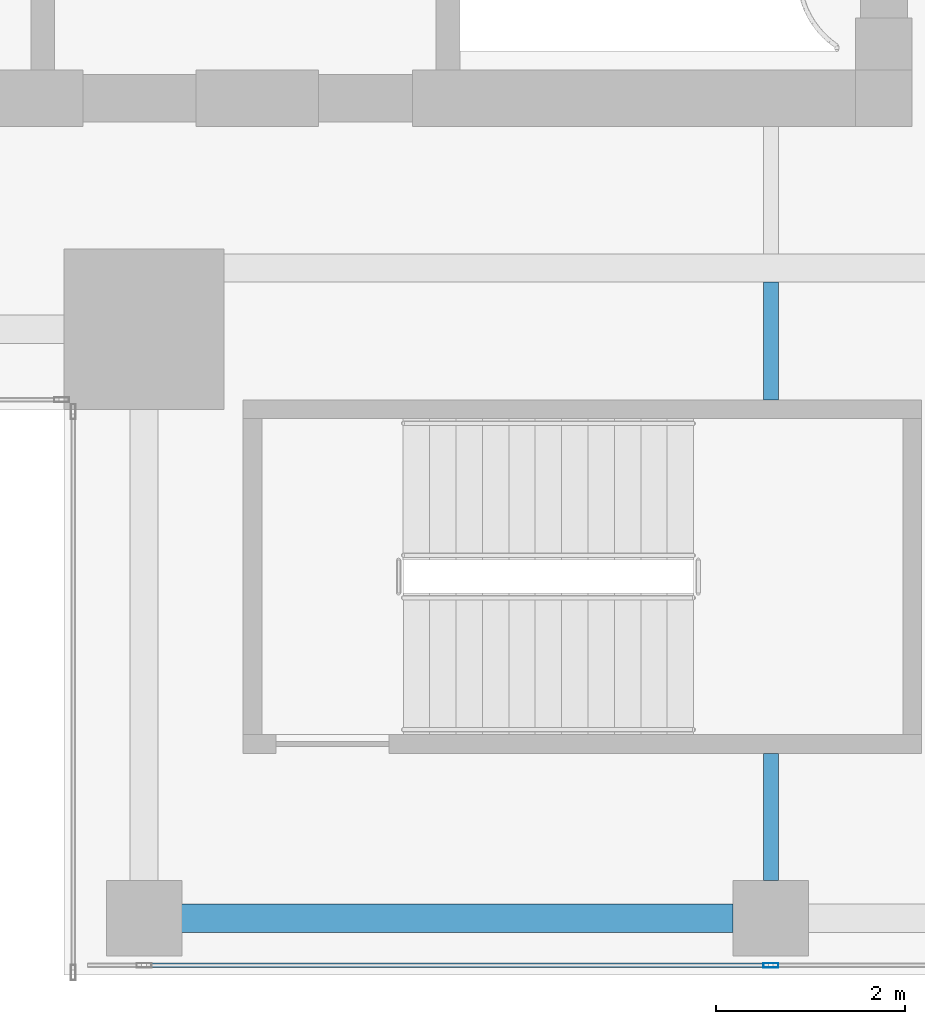
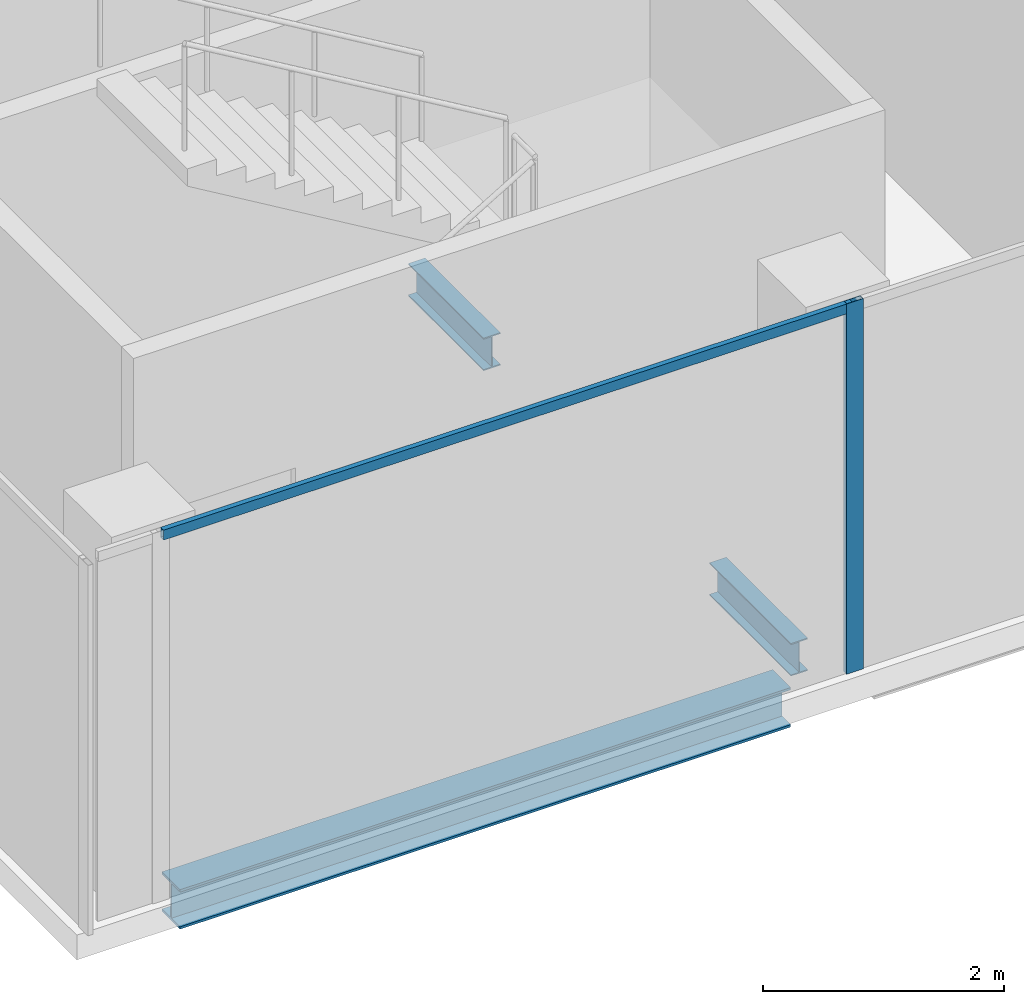
# One storey, part 3 of 29: 3 beams, 2 members, 1 element without a shape of its own.
"""IFC4 building model written with IfcOpenShell, lengths in metres."""

from ifc_helpers import new_model, si_unit, direction, frame, origin, origin_2d, place, context, subcontext, project, spatial, hollow_rectangle, i_section, extrude, source, transform, mapped, material, material_profile, profile_set, type_object, element, aggregate, save


model = new_model("IFC4")

# Units and contexts
model_context = context("Model", 3, precision=1e-05, world=origin(), true_north=direction((0.0, 1.0)))
body_context = subcontext(model_context, "Body", "Model", "MODEL_VIEW")
ifc_project = project(units=[si_unit("LENGTHUNIT", "METRE"), si_unit("AREAUNIT", "SQUARE_METRE"), si_unit("VOLUMEUNIT", "CUBIC_METRE"), si_unit("PLANEANGLEUNIT", "RADIAN"), si_unit("MASSUNIT", "GRAM", prefix="KILO")], contexts=[model_context])

# Site, building, storey
site_placement = place(None, origin())
site = spatial("IfcSite", under=ifc_project, at=site_placement, CompositionType="ELEMENT")
building_placement = place(site_placement, origin())
building = spatial("IfcBuilding", under=site, at=building_placement, Name="Khomas Fold Tower", CompositionType="ELEMENT")
storey_placement = place(building_placement, frame((0.0, 0.0, 310.199951171875)))
storey = spatial("IfcBuildingStorey", under=building, at=storey_placement, Name="L70", CompositionType="ELEMENT", Elevation=310.199951171875)

# Beams
ifc_material_1 = material(Name="Steel S355", Category="steel")
ifc_material_profile_1 = material_profile(ifc_material_1, i_section(OverallWidth=0.159912109375, OverallDepth=0.330078125, WebThickness=0.007568359375, FlangeThickness=0.011474609375, at=origin_2d()), Name="IPE 330")
ifc_profile_set_1 = profile_set([ifc_material_profile_1], Name="Steel S355")
beam_type_1 = type_object("IfcBeamType", Name="IPE 330 beam JB1", PredefinedType="BEAM", material=ifc_profile_set_1)
shared_shape_1 = source(origin(), body_context, "Body", "SweptSolid", [
    extrude(i_section(OverallWidth=0.159912109375, OverallDepth=0.330078125, WebThickness=0.007568359375, FlangeThickness=0.011474609375, at=origin_2d()), origin(), (0.0, 0.0, 1.0), 1.25),
])
beam_1_placement = place(storey_placement, frame((19.5, 12.10009765625, -0.4150390625), z_axis=(0.0, 1.0, 0.0), x_axis=(-1.0, 0.0, 0.0)))
element("IfcBeam", 1, at=beam_1_placement, inside=storey, type_object=beam_type_1, Name="JB1", PredefinedType="BEAM", context=body_context, shape_type="MappedRepresentation", body=[
    mapped(shared_shape_1, transform((0.0, 0.0, 0.0))),
])
shared_shape_2 = source(origin(), body_context, "Body", "SweptSolid", [
    extrude(i_section(OverallWidth=0.159912109375, OverallDepth=0.330078125, WebThickness=0.007568359375, FlangeThickness=0.011474609375, at=origin_2d()), origin(), (0.0, 0.0, 1.0), 1.35009765625),
])
beam_2_placement = place(storey_placement, frame((19.5, 7.0, -0.4150390625), z_axis=(0.0, 1.0, 0.0), x_axis=(-1.0, 0.0, 0.0)))
element("IfcBeam", 2, at=beam_2_placement, inside=storey, type_object=beam_type_1, Name="JB1", PredefinedType="BEAM", context=body_context, shape_type="MappedRepresentation", body=[
    mapped(shared_shape_2, transform((0.0, 0.0, 0.0))),
])
ifc_material_2 = material(Name="Steel S355", Category="steel")
ifc_material_profile_2 = material_profile(ifc_material_2, i_section(OverallWidth=0.300048828125, OverallDepth=0.39990234375, WebThickness=0.013427734375, FlangeThickness=0.02392578125, at=origin_2d()), Name="HE 400 B")
ifc_profile_set_2 = profile_set([ifc_material_profile_2], Name="Steel S355")
beam_type_2 = type_object("IfcBeamType", Name="HE 400 B spandrel SB5", PredefinedType="SPANDREL", material=ifc_profile_set_2)
shared_shape_3 = source(origin(), body_context, "Body", "SweptSolid", [
    extrude(i_section(OverallWidth=0.300048828125, OverallDepth=0.39990234375, WebThickness=0.013427734375, FlangeThickness=0.02392578125, at=origin_2d()), origin(), (0.0, 0.0, 1.0), 5.85009765625),
])
beam_3_placement = place(storey_placement, frame((13.25, 6.60009765625, -0.449951171875), z_axis=(1.0, 0.0, 0.0), x_axis=(0.0, 1.0, 0.0)))
element("IfcBeam", 3, at=beam_3_placement, inside=storey, type_object=beam_type_2, Name="SB5", PredefinedType="SPANDREL", context=body_context, shape_type="MappedRepresentation", body=[
    mapped(shared_shape_3, transform((0.0, 0.0, 0.0))),
])

# Curtain wall, members
ifc_material_3 = material(Name="Aluminium framed double glazing", Category="aluminium")
curtain_wall_type = type_object("IfcCurtainWallType", Name="SK-Unitised clear-glass wall, upper floors CW3", PredefinedType="NOTDEFINED", material=ifc_material_3)
curtain_wall_placement = place(storey_placement, origin())
curtain_wall = element("IfcCurtainWall", 4, at=curtain_wall_placement, inside=storey, type_object=curtain_wall_type, Name="CW3 run L70 00-0", PredefinedType="NOTDEFINED")
ifc_material_4 = material(Name="Aluminium", Category="aluminium")
ifc_material_profile_3 = material_profile(ifc_material_4, hollow_rectangle(XDim=0.050048828125, YDim=0.159912109375, WallThickness=0.00390625, at=origin_2d()), Name="SK-Unitised clear-glass wall, upper floors mullion CW3-M")
ifc_profile_set_3 = profile_set([ifc_material_profile_3], Name="Aluminium")
member_type_1 = type_object("IfcMemberType", Name="SK-Unitised clear-glass wall, upper floors mullion CW3-M", PredefinedType="MULLION", material=ifc_profile_set_3)
shared_shape_4 = source(origin(), body_context, "Body", "SweptSolid", [
    extrude(hollow_rectangle(XDim=0.050048828125, YDim=0.159912109375, WallThickness=0.00390625, at=origin_2d()), origin(), (0.0, 0.0, 1.0), 3.75),
])
member_1_placement = place(storey_placement, frame((19.5, 6.10009765625, 0.0), z_axis=(0.0, 0.0, 1.0), x_axis=(0.0, 1.0, 0.0)))
member_1 = element("IfcMember", 5, at=member_1_placement, type_object=member_type_1, Name="CW3 mullion 3", PredefinedType="MULLION", context=body_context, shape_type="MappedRepresentation", body=[
    mapped(shared_shape_4, transform((0.0, 0.0, 0.0))),
])
ifc_material_5 = material(Name="Aluminium", Category="aluminium")
ifc_material_profile_4 = material_profile(ifc_material_5, hollow_rectangle(XDim=0.050048828125, YDim=0.10009765625, WallThickness=0.00390625, at=origin_2d()), Name="SK-Unitised clear-glass wall, upper floors transom CW3-T")
ifc_profile_set_4 = profile_set([ifc_material_profile_4], Name="Aluminium")
member_type_2 = type_object("IfcMemberType", Name="SK-Unitised clear-glass wall, upper floors transom CW3-T", PredefinedType="USERDEFINED", material=ifc_profile_set_4)
shared_shape_5 = source(origin(), body_context, "Body", "SweptSolid", [
    extrude(hollow_rectangle(XDim=0.050048828125, YDim=0.10009765625, WallThickness=0.00390625, at=origin_2d()), origin(), (0.0, 0.0, 1.0), 6.60009765625),
])
member_2_placement = place(storey_placement, frame((12.875, 6.10009765625, 3.699951171875), z_axis=(1.0, 0.0, 0.0), x_axis=(0.0, 1.0, 0.0)))
member_2 = element("IfcMember", 6, at=member_2_placement, type_object=member_type_2, Name="CW3 transom 2", ObjectType="TRANSOM", PredefinedType="USERDEFINED", context=body_context, shape_type="MappedRepresentation", body=[
    mapped(shared_shape_5, transform((0.0, 0.0, 0.0))),
])
aggregate(curtain_wall, [member_1, member_2])

save(model, "model.ifc")
